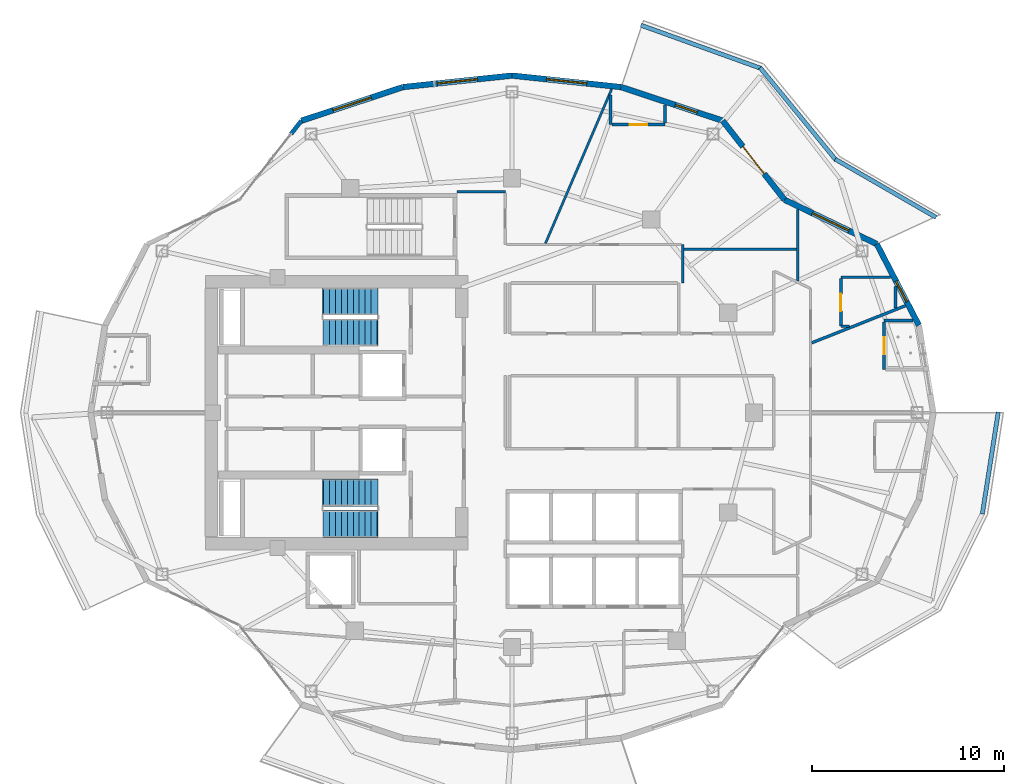
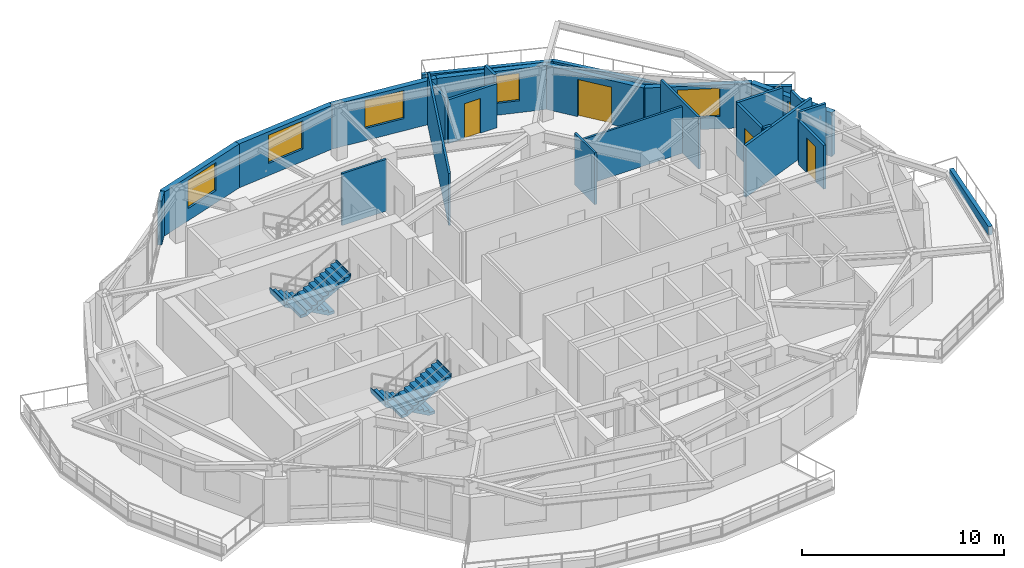
# One storey, part 12 of 19: 27 walls, 6 windows, 4 doors, 4 stair flights, 10 openings, 2 elements without a shape of their own.
"""IFC4 building model written with IfcOpenShell, lengths in metres."""

import ifcopenshell
import ifcopenshell.guid

model = None  # the IFC model being written
_history = None  # IfcOwnerHistory: only IFC2X3 demands one
_inside = {}  # id of a spatial element -> (the spatial element, [elements in it])
_under = {}  # id of a project, library or spatial element -> (it, [spatial elements below it])
_declared = {}  # id of a project -> (the project, [libraries it declares])
_typed = {}  # id of a type object -> (the type object, [elements of that type])
_made_of = {}  # id of a material, layer set ... -> (it, [elements and type objects made of it])


def new_model(schema):
    """Start an empty IFC model of exactly this schema.

    Asked for "IFC4X3", IfcOpenShell would pick the latest addendum, in which some entities
    have other attributes; the version numbers below select the first issue.
    IFC2X3 requires an IfcOwnerHistory on every rooted entity: one is made here for all.
    """
    global model, _history
    if schema == "IFC4X3":
        model = ifcopenshell.file(schema_version=(4, 3, 0, 0))
    else:
        model = ifcopenshell.file(schema=schema)
    _inside.clear()
    _under.clear()
    _declared.clear()
    _typed.clear()
    _made_of.clear()
    _history = None
    if model.schema == "IFC2X3":
        org = make("IfcOrganization", Name="unknown")
        user = make(
            "IfcPersonAndOrganization",
            ThePerson=make("IfcPerson", FamilyName="unknown"),
            TheOrganization=org,
        )
        app = make(
            "IfcApplication",
            ApplicationDeveloper=org,
            Version="unknown",
            ApplicationFullName="unknown",
            ApplicationIdentifier="unknown",
        )
        _history = make(
            "IfcOwnerHistory",
            OwningUser=user,
            OwningApplication=app,
            ChangeAction="ADDED",
            CreationDate=0,
        )
    return model


def make(cls, **values):
    """One entity of the class cls with the attributes given. An attribute that is None is left unset."""
    return model.create_entity(
        cls, **{name: value for name, value in values.items() if value is not None}
    )


def rooted(cls, **values):
    """An entity with a GlobalId (a new one), such as an element, a storey or a relation."""
    return make(cls, GlobalId=ifcopenshell.guid.new(), OwnerHistory=_history, **values)


def si_unit(unit_type, name, prefix=None):
    """IfcSIUnit, for example si_unit("LENGTHUNIT", "METRE", prefix="MILLI")."""
    return make("IfcSIUnit", UnitType=unit_type, Prefix=prefix, Name=name)


def assignment(units):
    """IfcUnitAssignment: the units of a project."""
    return None if units is None else make("IfcUnitAssignment", Units=units)


def point(xyz):
    """IfcCartesianPoint."""
    return None if xyz is None else make("IfcCartesianPoint", Coordinates=xyz)


def direction(xyz):
    """IfcDirection."""
    return None if xyz is None else make("IfcDirection", DirectionRatios=xyz)


def frame(location, z_axis=None, x_axis=None):
    """IfcAxis2Placement3D, a coordinate frame: its origin and axes. An axis left out is left unset."""
    return make(
        "IfcAxis2Placement3D",
        Location=point(location),
        Axis=direction(z_axis),
        RefDirection=direction(x_axis),
    )


def frame_2d(location, x_axis=None):
    """IfcAxis2Placement2D, a coordinate frame in the plane: its origin and x axis."""
    return make(
        "IfcAxis2Placement2D", Location=point(location), RefDirection=direction(x_axis)
    )


def origin():
    """The frame at (0, 0, 0) with its axes left unset."""
    return frame((0.0, 0.0, 0.0))


def place(relative_to, where):
    """IfcLocalPlacement: puts the frame where relative to a parent placement (None: the world)."""
    return make(
        "IfcLocalPlacement", PlacementRelTo=relative_to, RelativePlacement=where
    )


def context(
    kind, dimensions, precision=None, world=None, true_north=None, identifier=None
):
    """IfcGeometricRepresentationContext, for example the 3D "Model" context."""
    return make(
        "IfcGeometricRepresentationContext",
        ContextIdentifier=identifier,
        ContextType=kind,
        CoordinateSpaceDimension=dimensions,
        Precision=precision,
        WorldCoordinateSystem=world,
        TrueNorth=true_north,
    )


def subcontext(parent, identifier, kind, view, scale=None):
    """IfcGeometricRepresentationSubContext, for example "Body" below "Model"."""
    return make(
        "IfcGeometricRepresentationSubContext",
        ContextIdentifier=identifier,
        ContextType=kind,
        ParentContext=parent,
        TargetScale=scale,
        TargetView=view,
    )


def project(units=None, contexts=None):
    """IfcProject with its units and contexts."""
    return rooted(
        "IfcProject",
        Name="project",
        RepresentationContexts=contexts,
        UnitsInContext=assignment(units),
    )


def spatial(cls, under=None, at=None, **own):
    """A site, building, storey or space (cls), placed at a placement, below another one or the project."""
    s = rooted(cls, ObjectPlacement=at, **own)
    if under is not None:
        _under.setdefault(under.id(), (under, []))[1].append(s)
    return s


def polyline(points):
    """IfcPolyline through the points."""
    return make("IfcPolyline", Points=[point(p) for p in points])


def profile(cls, at=None, kind="AREA", **sizes):
    """A parametric profile (cls). Its sizes go by their IFC names, for example OverallWidth=200.0."""
    return make(cls, ProfileType=kind, Position=at, **sizes)


def rectangle(**sizes):
    """IfcRectangleProfileDef."""
    return profile("IfcRectangleProfileDef", **sizes)


def outline(outer, holes=None, kind="AREA"):
    """IfcArbitraryClosedProfileDef: a profile drawn as a closed curve; with holes, ...WithVoids."""
    if holes is None:
        return make("IfcArbitraryClosedProfileDef", ProfileType=kind, OuterCurve=outer)
    return make(
        "IfcArbitraryProfileDefWithVoids",
        ProfileType=kind,
        OuterCurve=outer,
        InnerCurves=holes,
    )


def extrude(swept, where, along, depth):
    """IfcExtrudedAreaSolid: the profile swept, set in the frame where, extruded along a direction by depth."""
    return make(
        "IfcExtrudedAreaSolid",
        SweptArea=swept,
        Position=where,
        ExtrudedDirection=direction(along),
        Depth=depth,
    )


def shape(context_of_items, identifier, shape_type, items):
    """IfcShapeRepresentation: the items that make up one representation, for example the "Body"."""
    return make(
        "IfcShapeRepresentation",
        ContextOfItems=context_of_items,
        RepresentationIdentifier=identifier,
        RepresentationType=shape_type,
        Items=items,
    )


def material(Name=None, Category=None):
    """IfcMaterial."""
    return make("IfcMaterial", Name=Name, Category=Category)


def layer(
    of_material, thickness, ventilated=None, Name=None, Category=None, Priority=None
):
    """IfcMaterialLayer: one layer of a wall or slab, of a material (None: an air gap)."""
    return make(
        "IfcMaterialLayer",
        Material=of_material,
        LayerThickness=thickness,
        IsVentilated=ventilated,
        Name=Name,
        Category=Category,
        Priority=Priority,
    )


def layer_set(layers, Name=None):
    """IfcMaterialLayerSet."""
    return make("IfcMaterialLayerSet", MaterialLayers=layers, LayerSetName=Name)


def made_of(thing, what):
    """Note that an element or type object is made of a material, layer set ...; save() writes the relation."""
    if what is not None:
        _made_of.setdefault(what.id(), (what, []))[1].append(thing)
    return thing


def type_object(cls, material=None, **own):
    """A type object (cls), such as IfcWallType, which elements share."""
    return made_of(rooted(cls, **own), material)


def element(
    cls,
    number,
    at=None,
    inside=None,
    cuts=None,
    type_object=None,
    material=None,
    context=None,
    identifier="Body",
    shape_type=None,
    held_by="IfcProductDefinitionShape",
    body=None,
    shapes=None,
    **own,
):
    """One element of the class cls, such as IfcWall. Its Tag is "e" and its number.

    at: its placement. inside: the storey or other place that contains it. cuts: it is an
    opening in that element (IfcRelVoidsElement). A single representation is given by context,
    identifier, shape_type and body (its items); several are given by shapes. held_by: the class
    of the entity that holds the representations. save() writes the other relations.
    """
    e = rooted(cls, Tag="e%d" % number, ObjectPlacement=at, **own)
    if body is not None:
        shapes = [shape(context, identifier, shape_type, body)]
    if shapes is not None:
        e.Representation = make(held_by, Representations=shapes)
    if inside is not None:
        _inside.setdefault(inside.id(), (inside, []))[1].append(e)
    if cuts is not None:
        rooted(
            "IfcRelVoidsElement", RelatingBuildingElement=cuts, RelatedOpeningElement=e
        )
    if type_object is not None:
        _typed.setdefault(type_object.id(), (type_object, []))[1].append(e)
    return made_of(e, material)


def fill(opening, filler):
    """IfcRelFillsElement: the door or window that sits in an opening."""
    return rooted(
        "IfcRelFillsElement",
        RelatingOpeningElement=opening,
        RelatedBuildingElement=filler,
    )


def aggregate(whole, parts):
    """IfcRelAggregates: a whole, such as a stair, and the parts it consists of."""
    return rooted("IfcRelAggregates", RelatingObject=whole, RelatedObjects=parts)


def save(model, path):
    """Write the relations noted so far, then the file.

    IfcRelAggregates (storeys below a building ...), IfcRelContainedInSpatialStructure (elements
    in a storey), IfcRelDefinesByType, IfcRelAssociatesMaterial and IfcRelDeclares: one each for
    every whole, place, type object, material and project.
    """
    for whole, parts in _under.values():
        aggregate(whole, parts)
    for where, things in _inside.values():
        rooted(
            "IfcRelContainedInSpatialStructure",
            RelatedElements=things,
            RelatingStructure=where,
        )
    for kind, things in _typed.values():
        rooted("IfcRelDefinesByType", RelatedObjects=things, RelatingType=kind)
    for what, things in _made_of.values():
        rooted("IfcRelAssociatesMaterial", RelatedObjects=things, RelatingMaterial=what)
    for by, libraries in _declared.values():
        rooted("IfcRelDeclares", RelatingContext=by, RelatedDefinitions=libraries)
    model.write(path)


model = new_model("IFC4")

# Units and contexts
model_context = context("Model", 3, precision=1e-05, world=origin(), true_north=direction((0.0, 1.0)))
body_context = subcontext(model_context, "Body", "Model", "MODEL_VIEW")
ifc_project = project(units=[si_unit("LENGTHUNIT", "METRE"), si_unit("AREAUNIT", "SQUARE_METRE"), si_unit("VOLUMEUNIT", "CUBIC_METRE"), si_unit("PLANEANGLEUNIT", "RADIAN"), si_unit("MASSUNIT", "GRAM", prefix="KILO")], contexts=[model_context])

# Site, building, storey
site_placement = place(None, origin())
site = spatial("IfcSite", under=ifc_project, at=site_placement, CompositionType="ELEMENT")
building_placement = place(site_placement, origin())
building = spatial("IfcBuilding", under=site, at=building_placement, Name="Kolvaren Gate Tower and Convention Centre", CompositionType="ELEMENT")
storey_placement = place(building_placement, frame((0.0, 0.0, 163.10009765625)))
storey = spatial("IfcBuildingStorey", under=building, at=storey_placement, Name="L42", CompositionType="ELEMENT", Elevation=163.10009765625)

# Walls
ifc_material_1 = material(Name="Fire-Rated Acoustic Gypsum Stud Partition", Category="gypsum")
ifc_layer_1 = layer(ifc_material_1, 0.1201171875)
ifc_layer_set_1 = layer_set([ifc_layer_1], Name="Fire-Rated Acoustic Gypsum Stud Partition")
wall_type_1 = type_object("IfcWallType", Name="ARCH-WL-PART-120", PredefinedType="PARTITIONING", material=ifc_layer_set_1)
wall_1_placement = place(storey_placement, frame((39.02001953125, 33.75, 0.0), z_axis=(0.0, 0.0, 1.0), x_axis=(0.0, 1.0, 0.0)))
element("IfcWall", 1, at=wall_1_placement, inside=storey, type_object=wall_type_1, Name="Interior Partition WL-L42-INT-024", PredefinedType="PARTITIONING", context=body_context, shape_type="SweptSolid", body=[
    extrude(rectangle(XDim=2.0, YDim=0.1201171875, at=frame_2d((1.0, 0.0))), origin(), (0.0, 0.0, 1.0), 3.1298828125),
])
wall_2_placement = place(storey_placement, frame((27.25, 38.5, 0.0), z_axis=(0.0, 0.0, 1.0), x_axis=(1.0, 0.0, 0.0)))
element("IfcWall", 2, at=wall_2_placement, inside=storey, type_object=wall_type_1, Name="Interior Partition WL-L42-INT-031", PredefinedType="PARTITIONING", context=body_context, shape_type="SweptSolid", body=[
    extrude(rectangle(XDim=2.530029296875, YDim=0.1201171875, at=frame_2d((1.26513671875, 0.0))), origin(), (0.0, 0.0, 1.0), 3.1298828125),
])
wall_3_placement = place(storey_placement, frame((45.0, 33.852783203125, 0.0), z_axis=(0.0, 0.0, 1.0), x_axis=(0.0, 1.0, 0.0)))
element("IfcWall", 3, at=wall_3_placement, inside=storey, type_object=wall_type_1, Name="Interior Partition WL-L42-INT-057", PredefinedType="PARTITIONING", context=body_context, shape_type="SweptSolid", body=[
    extrude(rectangle(XDim=3.734619140625, YDim=0.1201171875, at=frame_2d((1.8671875, 0.0))), origin(), (0.0, 0.0, 1.0), 3.1298828125),
])
wall_4_placement = place(storey_placement, frame((39.08203125, 35.5, 0.0), z_axis=(0.0, 0.0, 1.0), x_axis=(1.0, 0.0, 0.0)))
element("IfcWall", 4, at=wall_4_placement, inside=storey, type_object=wall_type_1, Name="Interior Partition WL-L42-INT-069", PredefinedType="PARTITIONING", context=body_context, shape_type="SweptSolid", body=[
    extrude(rectangle(XDim=5.85595703125, YDim=0.1201171875, at=frame_2d((2.927978515625, 0.0))), origin(), (0.0, 0.0, 1.0), 2.81201171875),
])
wall_5_placement = place(storey_placement, frame((31.86669921875, 35.81201171875, 0.0), z_axis=(0.0, 0.0, 1.0), x_axis=(0.394572646642, 0.918864748765, 0.0)))
element("IfcWall", 5, at=wall_5_placement, inside=storey, type_object=wall_type_1, Name="Interior Partition WL-L42-INT-070", PredefinedType="PARTITIONING", context=body_context, shape_type="SweptSolid", body=[
    extrude(rectangle(XDim=8.747802734375, YDim=0.1201171875, at=frame_2d((4.3740234375, 0.0))), origin(), (0.0, 0.0, 1.0), 3.1298828125),
])
ifc_material_2 = material(Name="Bogota Sabana Bush-Hammered Sandstone Cladding", Category="masonry")
ifc_layer_2 = layer(ifc_material_2, 0.219970703125)
ifc_layer_set_2 = layer_set([ifc_layer_2], Name="Bogota Sabana Bush-Hammered Sandstone Cladding")
wall_type_2 = type_object("IfcWallType", Name="ARCH-WL-PIER-220", PredefinedType="SOLIDWALL", material=ifc_layer_set_2)
wall_6_placement = place(storey_placement, frame((18.6162109375, 41.5087890625, 0.0), z_axis=(0.0, 0.0, 1.0), x_axis=(0.616368366719, 0.787457958566, 0.0)))
element("IfcWall", 6, at=wall_6_placement, inside=storey, type_object=wall_type_2, Name="Tower L42 Unitised Curtain Wall CW-HTL-UNIT Bay 08 Right Column Pier Wrap", PredefinedType="SOLIDWALL", context=body_context, shape_type="SweptSolid", body=[
    extrude(rectangle(XDim=0.876220703125, YDim=0.219970703125, at=frame_2d((0.43798828125, 0.0))), origin(), (0.0, 0.0, 1.0), 2.65283203125),
])
ifc_material_3 = material(Name="Piedmont Cream Honed Limestone Cladding", Category="masonry")
ifc_layer_3 = layer(ifc_material_3, 0.219970703125)
ifc_layer_set_3 = layer_set([ifc_layer_3], Name="Piedmont Cream Honed Limestone Cladding")
wall_type_3 = type_object("IfcWallType", Name="ARCH-WL-PLANTER-220", PredefinedType="PARAPET", material=ifc_layer_set_3)
wall_7_placement = place(storey_placement, frame((46.95751953125, 40.1953125, 0.0), z_axis=(0.0, 0.0, 1.0), x_axis=(0.866058128659, -0.499943314571, 0.0)))
element("IfcWall", 7, at=wall_7_placement, inside=storey, type_object=wall_type_3, Name="Vertical-Forest Balcony Stone Planter Kerb PK-L42-1.1", PredefinedType="PARAPET", context=body_context, shape_type="SweptSolid", body=[
    extrude(rectangle(XDim=6.060302734375, YDim=0.219970703125, at=frame_2d((3.0302734375, 0.0))), origin(), (0.0, 0.0, 1.0), 0.52001953125),
])
wall_8_placement = place(storey_placement, frame((43.0419921875, 44.96435546875, 0.0), z_axis=(0.0, 0.0, 1.0), x_axis=(0.634429234628, -0.77298094818, 0.0)))
element("IfcWall", 8, at=wall_8_placement, inside=storey, type_object=wall_type_3, Name="Vertical-Forest Balcony Stone Planter Kerb PK-L42-1.2", PredefinedType="PARAPET", context=body_context, shape_type="SweptSolid", body=[
    extrude(rectangle(XDim=6.244873046875, YDim=0.219970703125, at=frame_2d((3.12255859375, 0.0))), origin(), (0.0, 0.0, 1.0), 0.52001953125),
])
wall_9_placement = place(storey_placement, frame((36.836669921875, 47.173828125, 0.0), z_axis=(0.0, 0.0, 1.0), x_axis=(0.940948576924, -0.338549517184, 0.0)))
element("IfcWall", 9, at=wall_9_placement, inside=storey, type_object=wall_type_3, Name="Vertical-Forest Balcony Stone Planter Kerb PK-L42-1.3", PredefinedType="PARAPET", context=body_context, shape_type="SweptSolid", body=[
    extrude(rectangle(XDim=6.6640625, YDim=0.219970703125, at=frame_2d((3.33203125, 0.0))), origin(), (0.0, 0.0, 1.0), 0.52001953125),
])
wall_10_placement = place(storey_placement, frame((54.615234375, 21.719970703125, 0.0), z_axis=(0.0, 0.0, 1.0), x_axis=(0.154245214003, 0.988032597619, 0.0)))
element("IfcWall", 10, at=wall_10_placement, inside=storey, type_object=wall_type_3, Name="Vertical-Forest Balcony Stone Planter Kerb PK-L42-4.3", PredefinedType="PARAPET", context=body_context, shape_type="SweptSolid", body=[
    extrude(rectangle(XDim=5.37353515625, YDim=0.219970703125, at=frame_2d((2.686767578125, 0.0))), origin(), (0.0, 0.0, 1.0), 0.52001953125),
])

# Wall, opening, window
ifc_layer_4 = layer(ifc_material_3, 0.300048828125)
ifc_layer_set_4 = layer_set([ifc_layer_4], Name="Piedmont Cream Honed Limestone Cladding")
wall_type_4 = type_object("IfcWallType", Name="ARCH-WL-STONE-300", PredefinedType="SOLIDWALL", material=ifc_layer_set_4)
wall_11_placement = place(storey_placement, frame((49.123291015625, 35.77490234375, 0.0), z_axis=(0.0, 0.0, 1.0), x_axis=(0.459810251451, -0.888017191647, 0.0)))
wall_11 = element("IfcWall", 11, at=wall_11_placement, inside=storey, type_object=wall_type_4, Name="Tower L42 Honed Stone Spandrel Wall EW-01", PredefinedType="SOLIDWALL", context=body_context, shape_type="SweptSolid", body=[
    extrude(rectangle(XDim=4.766357421875, YDim=0.300048828125, at=frame_2d((2.38330078125, 0.0))), origin(), (0.0, 0.0, 1.0), 2.65283203125),
])
opening_1_placement = place(wall_11_placement, frame((2.179931640625, 0.0, 0.719970703125)))
opening_1 = element("IfcOpeningElement", 12, at=opening_1_placement, cuts=wall_11, Name="Opening W-04", PredefinedType="OPENING", context=body_context, shape_type="SweptSolid", body=[
    extrude(rectangle(XDim=1.199951171875, YDim=1.64990234375, at=frame_2d((0.60009765625, 0.824951171875))), frame((0.0, 0.159912109375, 0.0), z_axis=(0.0, -1.0, 0.0), x_axis=(1.0, 0.0, 0.0)), (0.0, 0.0, 1.0), 0.320068359375),
])
ifc_material_4 = material(Name="Low-E Triple Insulated Glazing Unit 44 mm", Category="glass")
window_type_1 = type_object("IfcWindowType", Name="ARCH-WN-NARROW-1200", PartitioningType="SINGLE_PANEL", PredefinedType="WINDOW", material=ifc_material_4)
window_1_placement = place(opening_1_placement, origin())
window_1 = element("IfcWindow", 13, at=window_1_placement, inside=storey, type_object=window_type_1, Name="Tower L42 Punched Stone Facade Window W-01", OverallHeight=1.64990234375, OverallWidth=1.199951171875, PartitioningType="SINGLE_PANEL", PredefinedType="WINDOW", context=body_context, shape_type="SweptSolid", body=[
    extrude(rectangle(XDim=1.199951171875, YDim=1.64990234375, at=frame_2d((0.60009765625, 0.824951171875))), frame((0.0, 0.030029296875, 0.0), z_axis=(0.0, -1.0, 0.0), x_axis=(1.0, 0.0, 0.0)), (0.0, 0.0, 1.0), 0.06005859375),
])
fill(opening_1, window_1)

wall_12_placement = place(storey_placement, frame((44.3134765625, 38.0859375, 0.0), z_axis=(0.0, 0.0, 1.0), x_axis=(0.901353070301, -0.433085029363, 0.0)))
wall_12 = element("IfcWall", 14, at=wall_12_placement, inside=storey, type_object=wall_type_4, Name="Tower L42 Honed Stone Spandrel Wall EW-02", PredefinedType="SOLIDWALL", context=body_context, shape_type="SweptSolid", body=[
    extrude(rectangle(XDim=5.336181640625, YDim=0.300048828125, at=frame_2d((2.66796875, 0.0))), origin(), (0.0, 0.0, 1.0), 2.65283203125),
])
opening_2_placement = place(wall_12_placement, frame((1.617919921875, 0.0, 0.739990234375)))
opening_2 = element("IfcOpeningElement", 15, at=opening_2_placement, cuts=wall_12, Name="Opening W-02", PredefinedType="OPENING", context=body_context, shape_type="SweptSolid", body=[
    extrude(rectangle(XDim=2.10009765625, YDim=1.699951171875, at=frame_2d((1.050048828125, 0.85009765625))), frame((0.0, 0.159912109375, 0.0), z_axis=(0.0, -1.0, 0.0), x_axis=(1.0, 0.0, 0.0)), (0.0, 0.0, 1.0), 0.320068359375),
])
window_type_2 = type_object("IfcWindowType", Name="ARCH-WN-HTL-2100", PartitioningType="SINGLE_PANEL", PredefinedType="WINDOW", material=ifc_material_4)
window_2_placement = place(opening_2_placement, origin())
window_2 = element("IfcWindow", 16, at=window_2_placement, inside=storey, type_object=window_type_2, Name="Tower L42 Punched Stone Facade Window W-02", OverallHeight=1.699951171875, OverallWidth=2.10009765625, PartitioningType="SINGLE_PANEL", PredefinedType="WINDOW", context=body_context, shape_type="SweptSolid", body=[
    extrude(rectangle(XDim=2.10009765625, YDim=1.699951171875, at=frame_2d((1.050048828125, 0.85009765625))), frame((0.0, 0.030029296875, 0.0), z_axis=(0.0, -1.0, 0.0), x_axis=(1.0, 0.0, 0.0)), (0.0, 0.0, 1.0), 0.06005859375),
])
fill(opening_2, window_2)

# Wall, opening, door
wall_13_placement = place(storey_placement, frame((41.09375, 42.19873046875, 0.0), z_axis=(0.0, 0.0, 1.0), x_axis=(0.616429245738, -0.787410302828, 0.0)))
wall_13 = element("IfcWall", 17, at=wall_13_placement, inside=storey, type_object=wall_type_4, Name="Tower L42 Honed Stone Spandrel Wall EW-03", PredefinedType="SOLIDWALL", context=body_context, shape_type="SweptSolid", body=[
    extrude(rectangle(XDim=5.22314453125, YDim=0.300048828125, at=frame_2d((2.611572265625, 0.0))), origin(), (0.0, 0.0, 1.0), 2.65283203125),
])
opening_3_placement = place(wall_13_placement, frame((1.7119140625, 0.0, 0.0)))
opening_3 = element("IfcOpeningElement", 18, at=opening_3_placement, cuts=wall_13, Name="Opening DB-01", PredefinedType="OPENING", context=body_context, shape_type="SweptSolid", body=[
    extrude(rectangle(XDim=1.800048828125, YDim=2.25, at=frame_2d((0.89990234375, 1.125))), frame((0.0, 0.159912109375, 0.0), z_axis=(0.0, -1.0, 0.0), x_axis=(1.0, 0.0, 0.0)), (0.0, 0.0, 1.0), 0.320068359375),
])
ifc_material_5 = material(Name="Anodized Architectural Aluminium Alloy 6063-T6", Category="aluminium")
door_type_1 = type_object("IfcDoorType", Name="ARCH-DR-BALC-1800", OperationType="SLIDING_TO_LEFT", PredefinedType="DOOR", material=ifc_material_5)
door_1_placement = place(opening_3_placement, origin())
door_1 = element("IfcDoor", 19, at=door_1_placement, inside=storey, type_object=door_type_1, Name="Planted Sky Terrace Access Door DB-L42-03", OperationType="SLIDING_TO_LEFT", OverallHeight=2.25, OverallWidth=1.800048828125, PredefinedType="DOOR", context=body_context, shape_type="SweptSolid", body=[
    extrude(rectangle(XDim=1.800048828125, YDim=2.25, at=frame_2d((0.89990234375, 1.125))), frame((0.0, 0.02490234375, 0.0), z_axis=(0.0, -1.0, 0.0), x_axis=(1.0, 0.0, 0.0)), (0.0, 0.0, 1.0), 0.050048828125),
])
fill(opening_3, door_1)

# Wall, opening, window
wall_14_placement = place(storey_placement, frame((35.802734375, 43.951904296875, 0.0), z_axis=(0.0, 0.0, 1.0), x_axis=(0.949246811547, -0.314532177636, 0.0)))
wall_14 = element("IfcWall", 20, at=wall_14_placement, inside=storey, type_object=wall_type_4, Name="Tower L42 Honed Stone Spandrel Wall EW-04", PredefinedType="SOLIDWALL", context=body_context, shape_type="SweptSolid", body=[
    extrude(rectangle(XDim=5.573974609375, YDim=0.300048828125, at=frame_2d((2.787109375, 0.0))), origin(), (0.0, 0.0, 1.0), 2.65283203125),
])
opening_4_placement = place(wall_14_placement, frame((2.97998046875, 0.0, 0.719970703125)))
opening_4 = element("IfcOpeningElement", 21, at=opening_4_placement, cuts=wall_14, Name="Opening W-04", PredefinedType="OPENING", context=body_context, shape_type="SweptSolid", body=[
    extrude(rectangle(XDim=1.199951171875, YDim=1.64990234375, at=frame_2d((0.60009765625, 0.824951171875))), frame((0.0, 0.159912109375, 0.0), z_axis=(0.0, -1.0, 0.0), x_axis=(1.0, 0.0, 0.0)), (0.0, 0.0, 1.0), 0.320068359375),
])
window_3_placement = place(opening_4_placement, origin())
window_3 = element("IfcWindow", 22, at=window_3_placement, inside=storey, type_object=window_type_1, Name="Tower L42 Punched Stone Facade Window W-04", OverallHeight=1.64990234375, OverallWidth=1.199951171875, PartitioningType="SINGLE_PANEL", PredefinedType="WINDOW", context=body_context, shape_type="SweptSolid", body=[
    extrude(rectangle(XDim=1.199951171875, YDim=1.64990234375, at=frame_2d((0.60009765625, 0.824951171875))), frame((0.0, 0.030029296875, 0.0), z_axis=(0.0, -1.0, 0.0), x_axis=(1.0, 0.0, 0.0)), (0.0, 0.0, 1.0), 0.06005859375),
])
fill(opening_4, window_3)

wall_15_placement = place(storey_placement, frame((30.125, 44.550048828125, 0.0), z_axis=(0.0, 0.0, 1.0), x_axis=(0.994496545245, -0.104769372887, 0.0)))
wall_15 = element("IfcWall", 23, at=wall_15_placement, inside=storey, type_object=wall_type_4, Name="Tower L42 Honed Stone Spandrel Wall EW-05", PredefinedType="SOLIDWALL", context=body_context, shape_type="SweptSolid", body=[
    extrude(rectangle(XDim=5.709228515625, YDim=0.300048828125, at=frame_2d((2.8544921875, 0.0))), origin(), (0.0, 0.0, 1.0), 2.65283203125),
])
opening_5_placement = place(wall_15_placement, frame((1.804931640625, 0.0, 0.739990234375)))
opening_5 = element("IfcOpeningElement", 24, at=opening_5_placement, cuts=wall_15, Name="Opening W-02", PredefinedType="OPENING", context=body_context, shape_type="SweptSolid", body=[
    extrude(rectangle(XDim=2.10009765625, YDim=1.699951171875, at=frame_2d((1.050048828125, 0.85009765625))), frame((0.0, 0.159912109375, 0.0), z_axis=(0.0, -1.0, 0.0), x_axis=(1.0, 0.0, 0.0)), (0.0, 0.0, 1.0), 0.320068359375),
])
window_4_placement = place(opening_5_placement, origin())
window_4 = element("IfcWindow", 25, at=window_4_placement, inside=storey, type_object=window_type_2, Name="Tower L42 Punched Stone Facade Window W-05", OverallHeight=1.699951171875, OverallWidth=2.10009765625, PartitioningType="SINGLE_PANEL", PredefinedType="WINDOW", context=body_context, shape_type="SweptSolid", body=[
    extrude(rectangle(XDim=2.10009765625, YDim=1.699951171875, at=frame_2d((1.050048828125, 0.85009765625))), frame((0.0, 0.030029296875, 0.0), z_axis=(0.0, -1.0, 0.0), x_axis=(1.0, 0.0, 0.0)), (0.0, 0.0, 1.0), 0.06005859375),
])
fill(opening_5, window_4)

wall_16_placement = place(storey_placement, frame((24.447265625, 43.951904296875, 0.0), z_axis=(0.0, 0.0, 1.0), x_axis=(0.994496545245, 0.104769372887, 0.0)))
wall_16 = element("IfcWall", 26, at=wall_16_placement, inside=storey, type_object=wall_type_4, Name="Tower L42 Honed Stone Spandrel Wall EW-06", PredefinedType="SOLIDWALL", context=body_context, shape_type="SweptSolid", body=[
    extrude(rectangle(XDim=5.709228515625, YDim=0.300048828125, at=frame_2d((2.8544921875, 0.0))), origin(), (0.0, 0.0, 1.0), 2.65283203125),
])
opening_6_placement = place(wall_16_placement, frame((1.804931640625, 0.0, 0.739990234375)))
opening_6 = element("IfcOpeningElement", 27, at=opening_6_placement, cuts=wall_16, Name="Opening W-02", PredefinedType="OPENING", context=body_context, shape_type="SweptSolid", body=[
    extrude(rectangle(XDim=2.10009765625, YDim=1.699951171875, at=frame_2d((1.050048828125, 0.85009765625))), frame((0.0, 0.159912109375, 0.0), z_axis=(0.0, -1.0, 0.0), x_axis=(1.0, 0.0, 0.0)), (0.0, 0.0, 1.0), 0.320068359375),
])
window_5_placement = place(opening_6_placement, origin())
window_5 = element("IfcWindow", 28, at=window_5_placement, inside=storey, type_object=window_type_2, Name="Tower L42 Punched Stone Facade Window W-06", OverallHeight=1.699951171875, OverallWidth=2.10009765625, PartitioningType="SINGLE_PANEL", PredefinedType="WINDOW", context=body_context, shape_type="SweptSolid", body=[
    extrude(rectangle(XDim=2.10009765625, YDim=1.699951171875, at=frame_2d((1.050048828125, 0.85009765625))), frame((0.0, 0.030029296875, 0.0), z_axis=(0.0, -1.0, 0.0), x_axis=(1.0, 0.0, 0.0)), (0.0, 0.0, 1.0), 0.06005859375),
])
fill(opening_6, window_5)

wall_17_placement = place(storey_placement, frame((19.15625, 42.19873046875, 0.0), z_axis=(0.0, 0.0, 1.0), x_axis=(0.949246811547, 0.314532177636, 0.0)))
wall_17 = element("IfcWall", 29, at=wall_17_placement, inside=storey, type_object=wall_type_4, Name="Tower L42 Honed Stone Spandrel Wall EW-07", PredefinedType="SOLIDWALL", context=body_context, shape_type="SweptSolid", body=[
    extrude(rectangle(XDim=5.573974609375, YDim=0.300048828125, at=frame_2d((2.787109375, 0.0))), origin(), (0.0, 0.0, 1.0), 2.65283203125),
])
opening_7_placement = place(wall_17_placement, frame((1.737060546875, 0.0, 0.739990234375)))
opening_7 = element("IfcOpeningElement", 30, at=opening_7_placement, cuts=wall_17, Name="Opening W-02", PredefinedType="OPENING", context=body_context, shape_type="SweptSolid", body=[
    extrude(rectangle(XDim=2.10009765625, YDim=1.699951171875, at=frame_2d((1.050048828125, 0.85009765625))), frame((0.0, 0.159912109375, 0.0), z_axis=(0.0, -1.0, 0.0), x_axis=(1.0, 0.0, 0.0)), (0.0, 0.0, 1.0), 0.320068359375),
])
window_6_placement = place(opening_7_placement, origin())
window_6 = element("IfcWindow", 31, at=window_6_placement, inside=storey, type_object=window_type_2, Name="Tower L42 Punched Stone Facade Window W-07", OverallHeight=1.699951171875, OverallWidth=2.10009765625, PartitioningType="SINGLE_PANEL", PredefinedType="WINDOW", context=body_context, shape_type="SweptSolid", body=[
    extrude(rectangle(XDim=2.10009765625, YDim=1.699951171875, at=frame_2d((1.050048828125, 0.85009765625))), frame((0.0, 0.030029296875, 0.0), z_axis=(0.0, -1.0, 0.0), x_axis=(1.0, 0.0, 0.0)), (0.0, 0.0, 1.0), 0.06005859375),
])
fill(opening_7, window_6)

# Wall
ifc_material_6 = material(Name="Moisture-Resistant Cement-Board Acoustic Partition", Category="gypsum")
ifc_layer_5 = layer(ifc_material_6, 0.14990234375)
ifc_layer_set_5 = layer_set([ifc_layer_5], Name="Moisture-Resistant Cement-Board Acoustic Partition")
wall_type_5 = type_object("IfcWallType", Name="ARCH-WL-WET-150", PredefinedType="PARTITIONING", material=ifc_layer_set_5)
wall_18_placement = place(storey_placement, frame((49.5, 31.800048828125, 0.0), z_axis=(0.0, 0.0, 1.0), x_axis=(1.0, 0.0, 0.0)))
element("IfcWall", 32, at=wall_18_placement, inside=storey, type_object=wall_type_5, Name="Interior Partition WL-L42-INT-061", PredefinedType="PARTITIONING", context=body_context, shape_type="SweptSolid", body=[
    extrude(rectangle(XDim=1.510498046875, YDim=0.14990234375, at=frame_2d((0.75537109375, 0.0))), origin(), (0.0, 0.0, 1.0), 3.1298828125),
])

# Wall, opening, door
wall_19_placement = place(storey_placement, frame((49.5, 29.25, 0.0), z_axis=(0.0, 0.0, 1.0), x_axis=(0.0, 1.0, 0.0)))
wall_19 = element("IfcWall", 33, at=wall_19_placement, inside=storey, type_object=wall_type_5, Name="Interior Partition WL-L42-INT-062", PredefinedType="PARTITIONING", context=body_context, shape_type="SweptSolid", body=[
    extrude(rectangle(XDim=2.472900390625, YDim=0.14990234375, at=frame_2d((1.236328125, 0.0))), origin(), (0.0, 0.0, 1.0), 2.65283203125),
])
opening_8_placement = place(wall_19_placement, frame((0.78662109375, 0.0, 0.0)))
opening_8 = element("IfcOpeningElement", 34, at=opening_8_placement, cuts=wall_19, Name="Opening DW-01", PredefinedType="OPENING", context=body_context, shape_type="SweptSolid", body=[
    extrude(rectangle(XDim=0.89990234375, YDim=2.10009765625, at=frame_2d((0.449951171875, 1.050048828125))), frame((0.0, 0.0849609375, 0.0), z_axis=(0.0, -1.0, 0.0), x_axis=(1.0, 0.0, 0.0)), (0.0, 0.0, 1.0), 0.169921875),
])
ifc_material_7 = material(Name="FSC Andean Oak Engineered Veneer Door Leaf", Category="wood")
door_type_2 = type_object("IfcDoorType", Name="ARCH-DR-WC-900", OperationType="SINGLE_SWING_RIGHT", PredefinedType="DOOR", material=ifc_material_7)
door_2_placement = place(opening_8_placement, origin())
door_2 = element("IfcDoor", 35, at=door_2_placement, inside=storey, type_object=door_type_2, Name="En-suite Bathroom (HTL-L42-10) Door", OperationType="SINGLE_SWING_RIGHT", OverallHeight=2.10009765625, OverallWidth=0.89990234375, PredefinedType="DOOR", context=body_context, shape_type="SweptSolid", body=[
    extrude(rectangle(XDim=0.89990234375, YDim=2.10009765625, at=frame_2d((0.449951171875, 1.050048828125))), frame((0.0, 0.02490234375, 0.0), z_axis=(0.0, -1.0, 0.0), x_axis=(1.0, 0.0, 0.0)), (0.0, 0.0, 1.0), 0.050048828125),
])
fill(opening_8, door_2)

# Walls
wall_20_placement = place(storey_placement, frame((45.73193359375, 30.632568359375, 0.0), z_axis=(0.0, 0.0, 1.0), x_axis=(0.929706134606, 0.368302190158, 0.0)))
element("IfcWall", 36, at=wall_20_placement, inside=storey, type_object=wall_type_5, Name="Interior Partition WL-L42-INT-064", PredefinedType="PARTITIONING", context=body_context, shape_type="SweptSolid", body=[
    extrude(rectangle(XDim=5.250732421875, YDim=0.14990234375, at=frame_2d((2.62548828125, 0.0))), origin(), (0.0, 0.0, 1.0), 3.1298828125),
])
wall_21_placement = place(storey_placement, frame((47.25, 34.050048828125, 0.0), z_axis=(0.0, 0.0, 1.0), x_axis=(1.0, 0.0, 0.0)))
element("IfcWall", 37, at=wall_21_placement, inside=storey, type_object=wall_type_5, Name="Interior Partition WL-L42-INT-065", PredefinedType="PARTITIONING", context=body_context, shape_type="SweptSolid", body=[
    extrude(rectangle(XDim=2.595458984375, YDim=0.14990234375, at=frame_2d((1.2978515625, 0.0))), origin(), (0.0, 0.0, 1.0), 3.1298828125),
])

# Wall, opening, door
wall_22_placement = place(storey_placement, frame((47.25, 31.5, 0.0), z_axis=(0.0, 0.0, 1.0), x_axis=(0.0, 1.0, 0.0)))
wall_22 = element("IfcWall", 38, at=wall_22_placement, inside=storey, type_object=wall_type_5, Name="Interior Partition WL-L42-INT-066", PredefinedType="PARTITIONING", context=body_context, shape_type="SweptSolid", body=[
    extrude(rectangle(XDim=2.472900390625, YDim=0.14990234375, at=frame_2d((1.236328125, 0.0))), origin(), (0.0, 0.0, 1.0), 3.1298828125),
])
opening_9_placement = place(wall_22_placement, frame((0.78662109375, 0.0, 0.0)))
opening_9 = element("IfcOpeningElement", 39, at=opening_9_placement, cuts=wall_22, Name="Opening DW-01", PredefinedType="OPENING", context=body_context, shape_type="SweptSolid", body=[
    extrude(rectangle(XDim=0.89990234375, YDim=2.10009765625, at=frame_2d((0.449951171875, 1.050048828125))), frame((0.0, 0.0849609375, 0.0), z_axis=(0.0, -1.0, 0.0), x_axis=(1.0, 0.0, 0.0)), (0.0, 0.0, 1.0), 0.169921875),
])
door_3_placement = place(opening_9_placement, origin())
door_3 = element("IfcDoor", 40, at=door_3_placement, inside=storey, type_object=door_type_2, Name="En-suite Bathroom (HTL-L42-11) Door", OperationType="SINGLE_SWING_LEFT", OverallHeight=2.10009765625, OverallWidth=0.89990234375, PredefinedType="DOOR", context=body_context, shape_type="SweptSolid", body=[
    extrude(rectangle(XDim=0.89990234375, YDim=2.10009765625, at=frame_2d((0.449951171875, 1.050048828125))), frame((0.0, 0.02490234375, 0.0), z_axis=(0.0, -1.0, 0.0), x_axis=(1.0, 0.0, 0.0)), (0.0, 0.0, 1.0), 0.050048828125),
])
fill(opening_9, door_3)

# Walls
wall_23_placement = place(storey_placement, frame((47.25, 31.5, 0.0), z_axis=(0.0, 0.0, 1.0), x_axis=(0.999990888186, -0.004268904539, 0.0)))
element("IfcWall", 41, at=wall_23_placement, inside=storey, type_object=wall_type_5, Name="Interior Partition WL-L42-INT-067", PredefinedType="PARTITIONING", context=body_context, shape_type="SweptSolid", body=[
    extrude(rectangle(XDim=0.45751953125, YDim=0.14990234375, at=frame_2d((0.228759765625, 0.0))), origin(), (0.0, 0.0, 1.0), 3.1298828125),
])
wall_24_placement = place(storey_placement, frame((50.10009765625, 32.44580078125, 0.0), z_axis=(0.0, 0.0, 1.0), x_axis=(0.0, 1.0, 0.0)))
element("IfcWall", 42, at=wall_24_placement, inside=storey, type_object=wall_type_5, Name="Interior Partition WL-L42-INT-068", PredefinedType="PARTITIONING", context=body_context, shape_type="SweptSolid", body=[
    extrude(rectangle(XDim=1.112548828125, YDim=0.14990234375, at=frame_2d((0.55615234375, 0.0))), origin(), (0.0, 0.0, 1.0), 3.1298828125),
])
wall_25_placement = place(storey_placement, frame((35.25, 42.0, 0.0), z_axis=(0.0, 0.0, 1.0), x_axis=(0.0, 1.0, 0.0)))
element("IfcWall", 43, at=wall_25_placement, inside=storey, type_object=wall_type_5, Name="Interior Partition WL-L42-INT-071", PredefinedType="PARTITIONING", context=body_context, shape_type="SweptSolid", body=[
    extrude(rectangle(XDim=1.53369140625, YDim=0.14990234375, at=frame_2d((0.766845703125, 0.0))), origin(), (0.0, 0.0, 1.0), 2.81201171875),
])

# Wall, opening, door
wall_26_placement = place(storey_placement, frame((35.326904296875, 42.0, 0.0), z_axis=(0.0, 0.0, 1.0), x_axis=(1.0, 0.0, 0.0)))
wall_26 = element("IfcWall", 44, at=wall_26_placement, inside=storey, type_object=wall_type_5, Name="Interior Partition WL-L42-INT-072", PredefinedType="PARTITIONING", context=body_context, shape_type="SweptSolid", body=[
    extrude(rectangle(XDim=2.773193359375, YDim=0.14990234375, at=frame_2d((1.38671875, 0.0))), origin(), (0.0, 0.0, 1.0), 2.65283203125),
])
opening_10_placement = place(wall_26_placement, frame((0.9365234375, 0.0, 0.0)))
opening_10 = element("IfcOpeningElement", 45, at=opening_10_placement, cuts=wall_26, Name="Opening DW-01", PredefinedType="OPENING", context=body_context, shape_type="SweptSolid", body=[
    extrude(rectangle(XDim=0.89990234375, YDim=2.10009765625, at=frame_2d((0.449951171875, 1.050048828125))), frame((0.0, 0.0849609375, 0.0), z_axis=(0.0, -1.0, 0.0), x_axis=(1.0, 0.0, 0.0)), (0.0, 0.0, 1.0), 0.169921875),
])
door_4_placement = place(opening_10_placement, origin())
door_4 = element("IfcDoor", 46, at=door_4_placement, inside=storey, type_object=door_type_2, Name="En-suite Bathroom (HTL-L42-13) Door", OperationType="SINGLE_SWING_RIGHT", OverallHeight=2.10009765625, OverallWidth=0.89990234375, PredefinedType="DOOR", context=body_context, shape_type="SweptSolid", body=[
    extrude(rectangle(XDim=0.89990234375, YDim=2.10009765625, at=frame_2d((0.449951171875, 1.050048828125))), frame((0.0, 0.02490234375, 0.0), z_axis=(0.0, -1.0, 0.0), x_axis=(1.0, 0.0, 0.0)), (0.0, 0.0, 1.0), 0.050048828125),
])
fill(opening_10, door_4)

# Wall
wall_27_placement = place(storey_placement, frame((38.10009765625, 42.076904296875, 0.0), z_axis=(0.0, 0.0, 1.0), x_axis=(0.0, 1.0, 0.0)))
element("IfcWall", 47, at=wall_27_placement, inside=storey, type_object=wall_type_5, Name="Interior Partition WL-L42-INT-073", PredefinedType="PARTITIONING", context=body_context, shape_type="SweptSolid", body=[
    extrude(rectangle(XDim=0.95361328125, YDim=0.14990234375, at=frame_2d((0.476806640625, 0.0))), origin(), (0.0, 0.0, 1.0), 3.1298828125),
])

# Stair, stair flights
ifc_material_8 = material(Name="Concrete C50/60", Category="concrete")
stair_type = type_object("IfcStairType", Name="STR-STAIR-CORE", PredefinedType="HALF_TURN_STAIR", material=ifc_material_8)
stair_1_placement = place(storey_placement, origin())
stair_1 = element("IfcStair", 48, at=stair_1_placement, inside=storey, type_object=stair_type, Name="L42 Tower North Exit Stair ST-T1", PredefinedType="HALF_TURN_STAIR")
stair_flight_type = type_object("IfcStairFlightType", Name="STR-SFL-1420", PredefinedType="STRAIGHT", material=ifc_material_8)
stair_flight_1_placement = place(storey_placement, frame((23.10009765625, 32.7900390625, 0.0), z_axis=(0.0, 0.0, 1.0), x_axis=(-1.0, 0.0, 0.0)))
stair_flight_1 = element("IfcStairFlight", 49, at=stair_flight_1_placement, type_object=stair_flight_type, Name="ST-T1 flight 1", NumberOfRisers=10, NumberOfTreads=9, PredefinedType="STRAIGHT", RiserHeight=0.17, TreadLength=0.31, context=body_context, shape_type="SweptSolid", body=[
    extrude(outline(polyline([(-0.034912109375, 0.0), (-0.034912109375, 0.169921875), (0.31005859375, 0.169921875), (0.31005859375, 0.340087890625), (0.6201171875, 0.340087890625), (0.6201171875, 0.510009765625), (0.929931640625, 0.510009765625), (0.929931640625, 0.679931640625), (1.239990234375, 0.679931640625), (1.239990234375, 0.85009765625), (1.550048828125, 0.85009765625), (1.550048828125, 1.02001953125), (1.860107421875, 1.02001953125), (1.860107421875, 1.18994140625), (2.169921875, 1.18994140625), (2.169921875, 1.360107421875), (2.47998046875, 1.360107421875), (2.47998046875, 1.530029296875), (2.7900390625, 1.530029296875), (2.7900390625, 1.699951171875), (2.8349609375, 1.699951171875), (2.8349609375, 1.5400390625), (2.7900390625, 1.359130859375), (0.311767578125, 0.0), (-0.034912109375, 0.0)])), frame((0.0, 0.7099609375, 0.0), z_axis=(0.0, -1.0, 0.0), x_axis=(1.0, 0.0, 0.0)), (0.0, 0.0, 1.0), 1.419921875),
])
stair_flight_2_placement = place(storey_placement, frame((20.31005859375, 31.169921875, 1.699951171875), z_axis=(0.0, 0.0, 1.0), x_axis=(1.0, 0.0, 0.0)))
stair_flight_2 = element("IfcStairFlight", 50, at=stair_flight_2_placement, type_object=stair_flight_type, Name="ST-T1 flight 2", NumberOfRisers=10, NumberOfTreads=9, PredefinedType="STRAIGHT", RiserHeight=0.17, TreadLength=0.31, context=body_context, shape_type="SweptSolid", body=[
    extrude(outline(polyline([(-0.034912109375, 0.0), (-0.034912109375, 0.169921875), (0.31005859375, 0.169921875), (0.31005859375, 0.340087890625), (0.6201171875, 0.340087890625), (0.6201171875, 0.510009765625), (0.929931640625, 0.510009765625), (0.929931640625, 0.679931640625), (1.239990234375, 0.679931640625), (1.239990234375, 0.85009765625), (1.550048828125, 0.85009765625), (1.550048828125, 1.02001953125), (1.860107421875, 1.02001953125), (1.860107421875, 1.18994140625), (2.169921875, 1.18994140625), (2.169921875, 1.360107421875), (2.47998046875, 1.360107421875), (2.47998046875, 1.530029296875), (2.7900390625, 1.530029296875), (2.7900390625, 1.699951171875), (2.8349609375, 1.699951171875), (2.8349609375, 1.5400390625), (2.7900390625, 1.359130859375), (0.311767578125, 0.0), (-0.034912109375, 0.0)])), frame((0.0, 0.7099609375, 0.0), z_axis=(0.0, -1.0, 0.0), x_axis=(1.0, 0.0, 0.0)), (0.0, 0.0, 1.0), 1.419921875),
])
aggregate(stair_1, [stair_flight_1, stair_flight_2])

stair_2_placement = place(storey_placement, origin())
stair_2 = element("IfcStair", 51, at=stair_2_placement, inside=storey, type_object=stair_type, Name="L42 Tower South Exit Stair ST-T2", PredefinedType="HALF_TURN_STAIR")
stair_flight_3_placement = place(storey_placement, frame((23.10009765625, 22.830078125, 0.0), z_axis=(0.0, 0.0, 1.0), x_axis=(-1.0, 0.0, 0.0)))
stair_flight_3 = element("IfcStairFlight", 52, at=stair_flight_3_placement, type_object=stair_flight_type, Name="ST-T2 flight 1", NumberOfRisers=10, NumberOfTreads=9, PredefinedType="STRAIGHT", RiserHeight=0.17, TreadLength=0.31, context=body_context, shape_type="SweptSolid", body=[
    extrude(outline(polyline([(-0.034912109375, 0.0), (-0.034912109375, 0.169921875), (0.31005859375, 0.169921875), (0.31005859375, 0.340087890625), (0.6201171875, 0.340087890625), (0.6201171875, 0.510009765625), (0.929931640625, 0.510009765625), (0.929931640625, 0.679931640625), (1.239990234375, 0.679931640625), (1.239990234375, 0.85009765625), (1.550048828125, 0.85009765625), (1.550048828125, 1.02001953125), (1.860107421875, 1.02001953125), (1.860107421875, 1.18994140625), (2.169921875, 1.18994140625), (2.169921875, 1.360107421875), (2.47998046875, 1.360107421875), (2.47998046875, 1.530029296875), (2.7900390625, 1.530029296875), (2.7900390625, 1.699951171875), (2.8349609375, 1.699951171875), (2.8349609375, 1.5400390625), (2.7900390625, 1.359130859375), (0.311767578125, 0.0), (-0.034912109375, 0.0)])), frame((0.0, 0.7099609375, 0.0), z_axis=(0.0, -1.0, 0.0), x_axis=(1.0, 0.0, 0.0)), (0.0, 0.0, 1.0), 1.419921875),
])
stair_flight_4_placement = place(storey_placement, frame((20.31005859375, 21.2099609375, 1.699951171875), z_axis=(0.0, 0.0, 1.0), x_axis=(1.0, 0.0, 0.0)))
stair_flight_4 = element("IfcStairFlight", 53, at=stair_flight_4_placement, type_object=stair_flight_type, Name="ST-T2 flight 2", NumberOfRisers=10, NumberOfTreads=9, PredefinedType="STRAIGHT", RiserHeight=0.17, TreadLength=0.31, context=body_context, shape_type="SweptSolid", body=[
    extrude(outline(polyline([(-0.034912109375, 0.0), (-0.034912109375, 0.169921875), (0.31005859375, 0.169921875), (0.31005859375, 0.340087890625), (0.6201171875, 0.340087890625), (0.6201171875, 0.510009765625), (0.929931640625, 0.510009765625), (0.929931640625, 0.679931640625), (1.239990234375, 0.679931640625), (1.239990234375, 0.85009765625), (1.550048828125, 0.85009765625), (1.550048828125, 1.02001953125), (1.860107421875, 1.02001953125), (1.860107421875, 1.18994140625), (2.169921875, 1.18994140625), (2.169921875, 1.360107421875), (2.47998046875, 1.360107421875), (2.47998046875, 1.530029296875), (2.7900390625, 1.530029296875), (2.7900390625, 1.699951171875), (2.8349609375, 1.699951171875), (2.8349609375, 1.5400390625), (2.7900390625, 1.359130859375), (0.311767578125, 0.0), (-0.034912109375, 0.0)])), frame((0.0, 0.7099609375, 0.0), z_axis=(0.0, -1.0, 0.0), x_axis=(1.0, 0.0, 0.0)), (0.0, 0.0, 1.0), 1.419921875),
])
aggregate(stair_2, [stair_flight_3, stair_flight_4])

save(model, "model.ifc")
